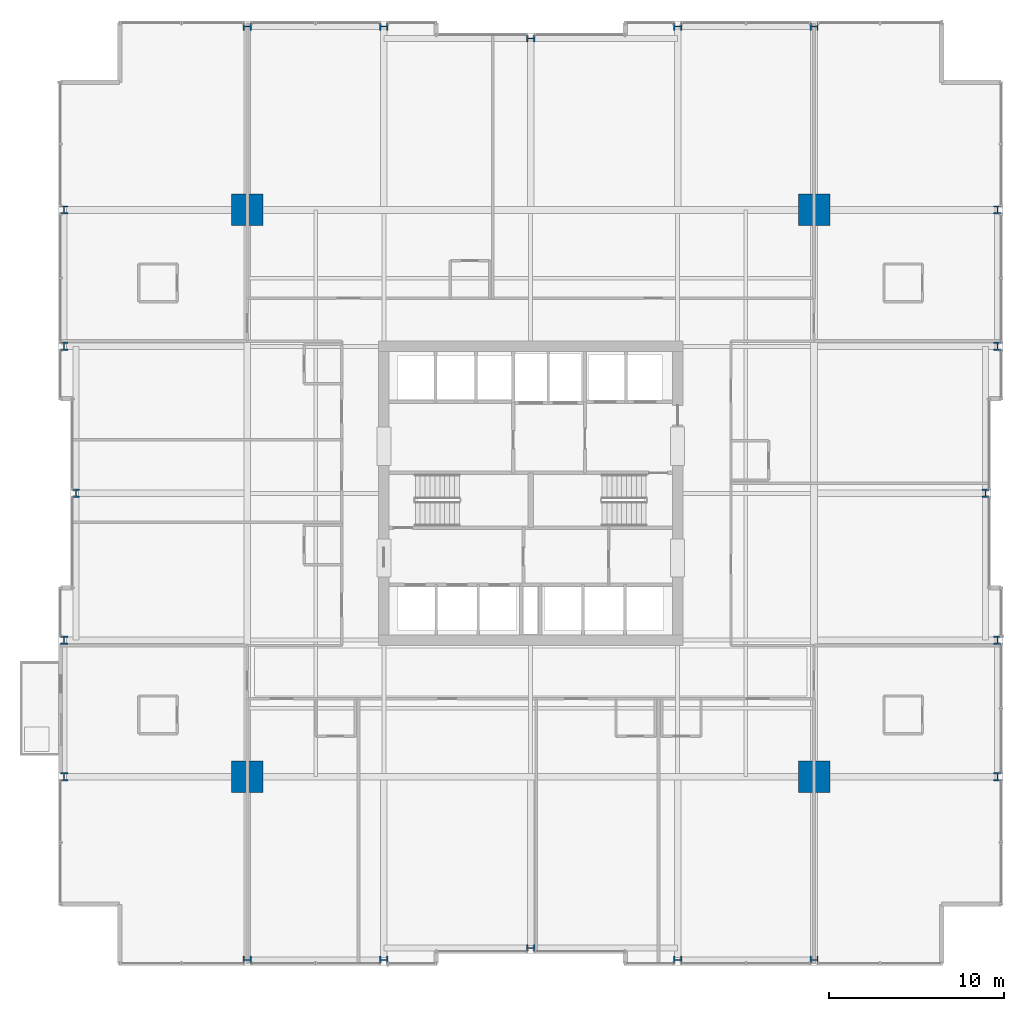
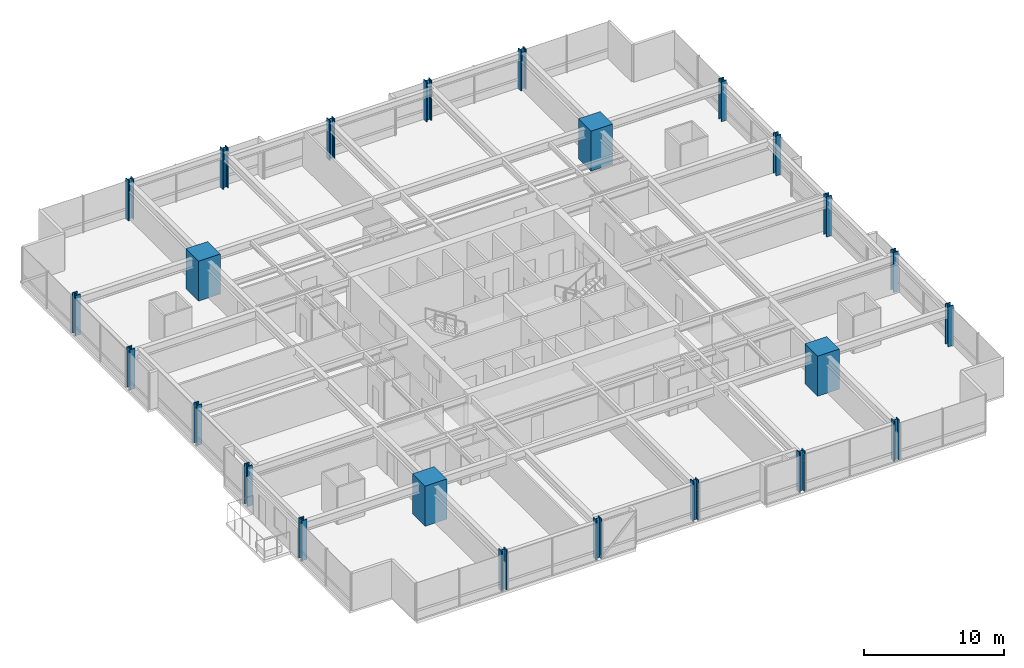
# One storey, part 1 of 37: 24 columns.
"""IFC4 building model written with IfcOpenShell, lengths in metres."""

from ifc_helpers import new_model, si_unit, direction, frame, origin, origin_2d, place, context, subcontext, project, spatial, rectangle, i_section, extrude, material, material_profile, profile_set, type_object, element, save


model = new_model("IFC4")

# Units and contexts
model_context = context("Model", 3, precision=1e-05, world=origin(), true_north=direction((0.0, 1.0)))
body_context = subcontext(model_context, "Body", "Model", "MODEL_VIEW")
ifc_project = project(units=[si_unit("LENGTHUNIT", "METRE"), si_unit("AREAUNIT", "SQUARE_METRE"), si_unit("VOLUMEUNIT", "CUBIC_METRE"), si_unit("PLANEANGLEUNIT", "RADIAN"), si_unit("MASSUNIT", "GRAM", prefix="KILO")], contexts=[model_context])

# Site, building, storey
site_placement = place(None, origin())
site = spatial("IfcSite", under=ifc_project, at=site_placement, CompositionType="ELEMENT")
building_placement = place(site_placement, origin())
building = spatial("IfcBuilding", under=site, at=building_placement, Name="Drelvath Grand Hotel", CompositionType="ELEMENT")
storey_placement = place(building_placement, frame((0.0, 0.0, 75.199951171875)))
storey = spatial("IfcBuildingStorey", under=building, at=storey_placement, Name="L18", CompositionType="ELEMENT", Elevation=75.199951171875)

# Columns
ifc_material_1 = material(Name="Concrete f'c 70 MPa", Category="concrete")
ifc_material_profile_1 = material_profile(ifc_material_1, rectangle(XDim=1.800048828125, YDim=1.800048828125, at=origin_2d()), Name="MC1800X1800")
ifc_profile_set_1 = profile_set([ifc_material_profile_1], Name="Concrete f'c 70 MPa")
column_type_1 = type_object("IfcColumnType", Name="Composite Mega Column MC1800X1800", PredefinedType="COLUMN", material=ifc_profile_set_1)
for number, where, z_axis, x_axis, name in (
    (1, (-16.199951171875, 10.800048828125, 0.0), (0.0, 0.0, 1.0), (1.0, 0.0, 0.0), "L18 Composite Mega Column MC-SW"),
    (2, (16.199951171875, 10.800048828125, 0.0), (0.0, 0.0, 1.0), (1.0, 0.0, 0.0), "L18 Composite Mega Column MC-SE"),
    (3, (-16.199951171875, 43.199951171875, 0.0), (0.0, 0.0, 1.0), (1.0, 0.0, 0.0), "L18 Composite Mega Column MC-NW"),
    (4, (16.199951171875, 43.199951171875, 0.0), (0.0, 0.0, 1.0), (1.0, 0.0, 0.0), "L18 Composite Mega Column MC-NE"),
):
    element("IfcColumn", number, at=place(storey_placement, frame(where, z_axis=z_axis, x_axis=x_axis)), inside=storey, type_object=column_type_1, Name=name, PredefinedType="COLUMN", context=body_context, shape_type="SweptSolid", body=[
        extrude(rectangle(XDim=1.800048828125, YDim=1.800048828125, at=origin_2d()), origin(), (0.0, 0.0, 1.0), 3.5),
    ])
ifc_material_2 = material(Name="Steel ASTM A913 Gr 65", Category="steel")
ifc_material_profile_2 = material_profile(ifc_material_2, i_section(OverallWidth=0.424072265625, OverallDepth=0.47412109375, WebThickness=0.047607421875, FlangeThickness=0.0771484375, FilletRadius=0.030029296875, at=origin_2d()), Name="W14X426")
ifc_profile_set_2 = profile_set([ifc_material_profile_2], Name="Steel ASTM A913 Gr 65")
column_type_2 = type_object("IfcColumnType", Name="Perimeter Steel Column W14X426", PredefinedType="COLUMN", material=ifc_profile_set_2)
for number, where, z_axis, x_axis, name in (
    (5, (-26.679931640625, 10.800048828125, 0.0), (0.0, 0.0, 1.0), (1.0, 0.0, 0.0), "L18 Structural Column TCW-C"),
    (6, (26.679931640625, 10.800048828125, 0.0), (0.0, 0.0, 1.0), (1.0, 0.0, 0.0), "L18 Structural Column TCE-C"),
    (7, (-26.679931640625, 18.60009765625, 0.0), (0.0, 0.0, 1.0), (1.0, 0.0, 0.0), "L18 Structural Column TCW-D"),
    (8, (26.679931640625, 18.60009765625, 0.0), (0.0, 0.0, 1.0), (1.0, 0.0, 0.0), "L18 Structural Column TCE-D"),
    (9, (-26.0, 27.0, 0.0), (0.0, 0.0, 1.0), (1.0, 0.0, 0.0), "L18 Structural Column TCW-E"),
    (10, (26.0, 27.0, 0.0), (0.0, 0.0, 1.0), (1.0, 0.0, 0.0), "L18 Structural Column TCE-E"),
    (11, (-26.679931640625, 35.39990234375, 0.0), (0.0, 0.0, 1.0), (1.0, 0.0, 0.0), "L18 Structural Column TCW-F"),
    (12, (26.679931640625, 35.39990234375, 0.0), (0.0, 0.0, 1.0), (1.0, 0.0, 0.0), "L18 Structural Column TCE-F"),
    (13, (-26.679931640625, 43.199951171875, 0.0), (0.0, 0.0, 1.0), (1.0, 0.0, 0.0), "L18 Structural Column TCW-G"),
    (14, (26.679931640625, 43.199951171875, 0.0), (0.0, 0.0, 1.0), (1.0, 0.0, 0.0), "L18 Structural Column TCE-G"),
    (15, (-16.199951171875, 0.320068359375, 0.0), (0.0, 0.0, 1.0), (0.0, 1.0, 0.0), "L18 Structural Column TCS-3"),
    (16, (-16.199951171875, 53.679931640625, 0.0), (0.0, 0.0, 1.0), (0.0, 1.0, 0.0), "L18 Structural Column TCN-3"),
    (17, (-8.39990234375, 0.320068359375, 0.0), (0.0, 0.0, 1.0), (0.0, 1.0, 0.0), "L18 Structural Column TCS-4"),
    (18, (-8.39990234375, 53.679931640625, 0.0), (0.0, 0.0, 1.0), (0.0, 1.0, 0.0), "L18 Structural Column TCN-4"),
    (19, (0.0, 1.0, 0.0), (0.0, 0.0, 1.0), (0.0, 1.0, 0.0), "L18 Structural Column TCS-5"),
    (20, (0.0, 53.0, 0.0), (0.0, 0.0, 1.0), (0.0, 1.0, 0.0), "L18 Structural Column TCN-5"),
    (21, (8.39990234375, 0.320068359375, 0.0), (0.0, 0.0, 1.0), (0.0, 1.0, 0.0), "L18 Structural Column TCS-6"),
    (22, (8.39990234375, 53.679931640625, 0.0), (0.0, 0.0, 1.0), (0.0, 1.0, 0.0), "L18 Structural Column TCN-6"),
    (23, (16.199951171875, 0.320068359375, 0.0), (0.0, 0.0, 1.0), (0.0, 1.0, 0.0), "L18 Structural Column TCS-7"),
    (24, (16.199951171875, 53.679931640625, 0.0), (0.0, 0.0, 1.0), (0.0, 1.0, 0.0), "L18 Structural Column TCN-7"),
):
    element("IfcColumn", number, at=place(storey_placement, frame(where, z_axis=z_axis, x_axis=x_axis)), inside=storey, type_object=column_type_2, Name=name, PredefinedType="COLUMN", context=body_context, shape_type="SweptSolid", body=[
        extrude(i_section(OverallWidth=0.424072265625, OverallDepth=0.47412109375, WebThickness=0.047607421875, FlangeThickness=0.0771484375, FilletRadius=0.030029296875, at=origin_2d()), origin(), (0.0, 0.0, 1.0), 3.4970703125),
    ])

save(model, "model.ifc")
